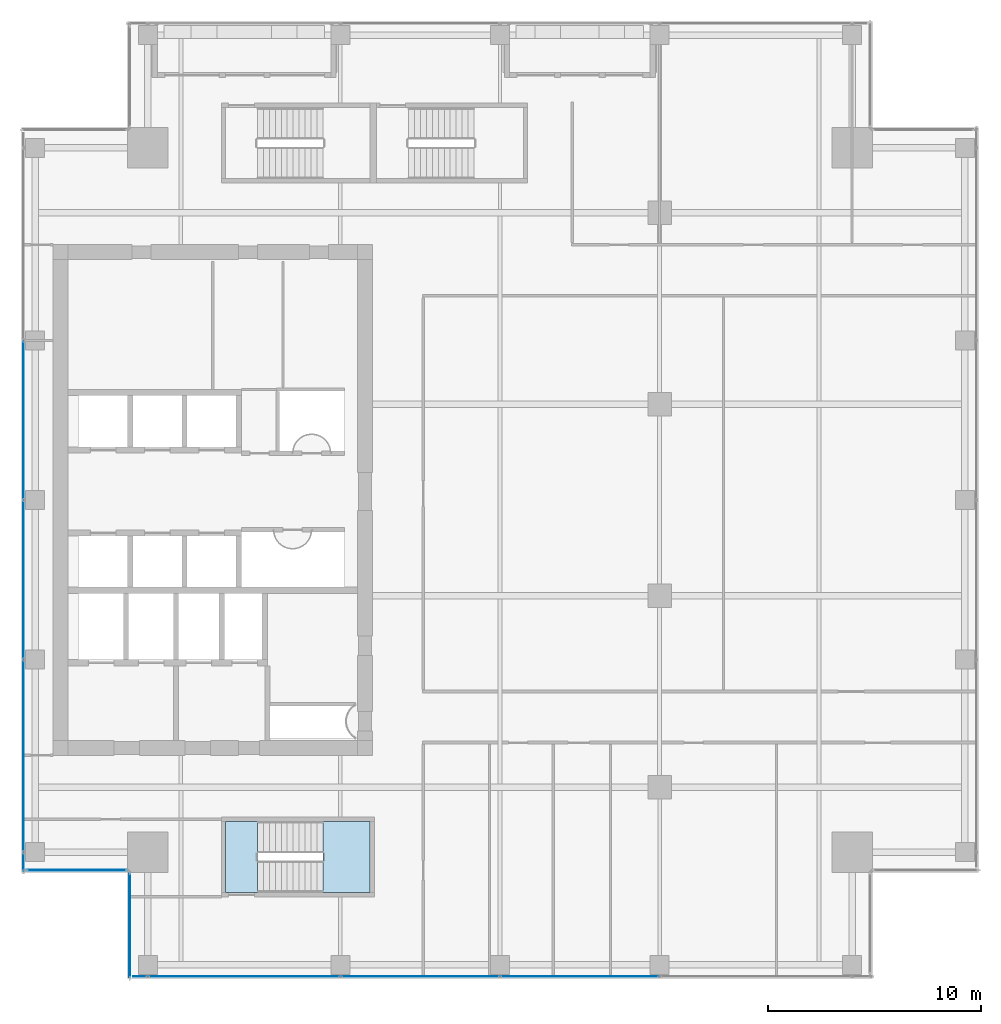
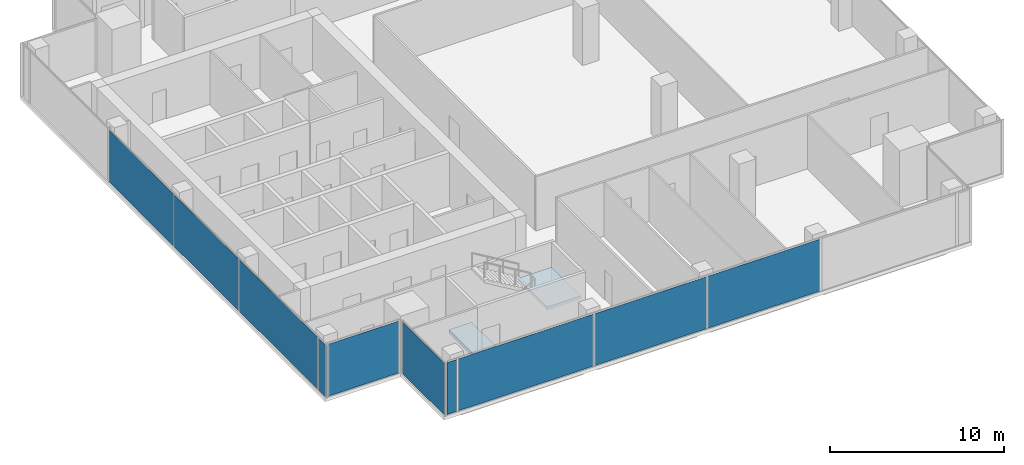
# One storey, part 25 of 35: 10 plates, 2 slabs, 5 elements without a shape of their own.
"""IFC4 building model written with IfcOpenShell, lengths in metres."""

from ifc_helpers import new_model, si_unit, direction, frame, origin, origin_2d, place, context, subcontext, project, spatial, polyline, rectangle, outline, extrude, source, transform, mapped, material, layer, layer_set, type_object, element, aggregate, save


model = new_model("IFC4")

# Units and contexts
model_context = context("Model", 3, precision=1e-05, world=origin(), true_north=direction((0.0, 1.0)))
body_context = subcontext(model_context, "Body", "Model", "MODEL_VIEW")
ifc_project = project(units=[si_unit("LENGTHUNIT", "METRE"), si_unit("AREAUNIT", "SQUARE_METRE"), si_unit("VOLUMEUNIT", "CUBIC_METRE"), si_unit("PLANEANGLEUNIT", "RADIAN"), si_unit("MASSUNIT", "GRAM", prefix="KILO")], contexts=[model_context])

# Site, building, storey
site_placement = place(None, origin())
site = spatial("IfcSite", under=ifc_project, at=site_placement, CompositionType="ELEMENT")
building_placement = place(site_placement, origin())
building = spatial("IfcBuilding", under=site, at=building_placement, Name="Khomas Fold Tower", CompositionType="ELEMENT")
storey_placement = place(building_placement, frame((0.0, 0.0, 270.199951171875)))
storey = spatial("IfcBuildingStorey", under=building, at=storey_placement, Name="L61", CompositionType="ELEMENT", Elevation=270.199951171875)

# Curtain wall, plates
ifc_material_1 = material(Name="Aluminium framed double glazing", Category="aluminium")
curtain_wall_type = type_object("IfcCurtainWallType", Name="SK-Unitised clear-glass wall, office floors CW2", PredefinedType="NOTDEFINED", material=ifc_material_1)
curtain_wall_1_placement = place(storey_placement, origin())
curtain_wall_1 = element("IfcCurtainWall", 1, at=curtain_wall_1_placement, inside=storey, type_object=curtain_wall_type, Name="CW2 run L61 00-0", PredefinedType="NOTDEFINED")
ifc_material_2 = material(Name="Clear double glazed unit")
ifc_layer_1 = layer(ifc_material_2, 0.030029296875)
ifc_layer_set_1 = layer_set([ifc_layer_1], Name="Clear double glazed unit")
plate_type = type_object("IfcPlateType", Name="SK-Unitised clear-glass wall, office floors glass panel CW2-P", PredefinedType="CURTAIN_PANEL", material=ifc_layer_set_1)
shared_shape_1 = source(origin(), body_context, "Body", "SweptSolid", [
    extrude(rectangle(XDim=0.659912109375, YDim=0.030029296875, at=origin_2d()), origin(), (0.0, 0.0, 1.0), 3.639892578125),
])
plate_1_placement = place(storey_placement, frame((10.090087890625, 4.60009765625, 0.0), z_axis=(0.0, 0.0, 1.0), x_axis=(1.0, 0.0, 0.0)))
plate_1 = element("IfcPlate", 2, at=plate_1_placement, type_object=plate_type, Name="CW2 glass panel 1", PredefinedType="CURTAIN_PANEL", context=body_context, shape_type="MappedRepresentation", body=[
    mapped(shared_shape_1, transform((0.0, 0.0, 0.0))),
])
shared_shape_2 = source(origin(), body_context, "Body", "SweptSolid", [
    extrude(rectangle(XDim=7.43994140625, YDim=0.030029296875, at=origin_2d()), origin(), (0.0, 0.0, 1.0), 3.639892578125),
])
plate_2_placement = place(storey_placement, frame((23.25, 4.60009765625, 0.0), z_axis=(0.0, 0.0, 1.0), x_axis=(1.0, 0.0, 0.0)))
plate_2 = element("IfcPlate", 3, at=plate_2_placement, type_object=plate_type, Name="CW2 glass panel 3", PredefinedType="CURTAIN_PANEL", context=body_context, shape_type="MappedRepresentation", body=[
    mapped(shared_shape_2, transform((0.0, 0.0, 0.0))),
])
plate_3_placement = place(storey_placement, frame((30.75, 4.60009765625, 0.0), z_axis=(0.0, 0.0, 1.0), x_axis=(1.0, 0.0, 0.0)))
plate_3 = element("IfcPlate", 4, at=plate_3_placement, type_object=plate_type, Name="CW2 glass panel 4", PredefinedType="CURTAIN_PANEL", context=body_context, shape_type="MappedRepresentation", body=[
    mapped(shared_shape_2, transform((0.0, 0.0, 0.0))),
])

curtain_wall_2_placement = place(storey_placement, origin())
curtain_wall_2 = element("IfcCurtainWall", 5, at=curtain_wall_2_placement, inside=storey, type_object=curtain_wall_type, Name="CW2 run L61 09-0", PredefinedType="NOTDEFINED")
plate_4_placement = place(storey_placement, frame((4.60009765625, 30.75, 0.0), z_axis=(0.0, 0.0, 1.0), x_axis=(0.0, -1.0, 0.0)))
plate_4 = element("IfcPlate", 6, at=plate_4_placement, type_object=plate_type, Name="CW2 glass panel 3", PredefinedType="CURTAIN_PANEL", context=body_context, shape_type="MappedRepresentation", body=[
    mapped(shared_shape_2, transform((0.0, 0.0, 0.0))),
])
plate_5_placement = place(storey_placement, frame((4.60009765625, 23.25, 0.0), z_axis=(0.0, 0.0, 1.0), x_axis=(0.0, -1.0, 0.0)))
plate_5 = element("IfcPlate", 7, at=plate_5_placement, type_object=plate_type, Name="CW2 glass panel 4", PredefinedType="CURTAIN_PANEL", context=body_context, shape_type="MappedRepresentation", body=[
    mapped(shared_shape_2, transform((0.0, 0.0, 0.0))),
])
shared_shape_3 = source(origin(), body_context, "Body", "SweptSolid", [
    extrude(rectangle(XDim=0.860107421875, YDim=0.030029296875, at=origin_2d()), origin(), (0.0, 0.0, 1.0), 3.639892578125),
])
plate_6_placement = place(storey_placement, frame((4.60009765625, 9.989990234375, 0.0), z_axis=(0.0, 0.0, 1.0), x_axis=(0.0, -1.0, 0.0)))
plate_6 = element("IfcPlate", 8, at=plate_6_placement, type_object=plate_type, Name="CW2 glass panel 6", PredefinedType="CURTAIN_PANEL", context=body_context, shape_type="MappedRepresentation", body=[
    mapped(shared_shape_3, transform((0.0, 0.0, 0.0))),
])

# Plate
shared_shape_4 = source(origin(), body_context, "Body", "SweptSolid", [
    extrude(rectangle(XDim=8.989990234375, YDim=0.030029296875, at=origin_2d()), origin(), (0.0, 0.0, 1.0), 3.639892578125),
])
plate_7_placement = place(storey_placement, frame((14.97509765625, 4.60009765625, 0.0), z_axis=(0.0, 0.0, 1.0), x_axis=(1.0, 0.0, 0.0)))
plate_7 = element("IfcPlate", 9, at=plate_7_placement, type_object=plate_type, Name="CW2 glass panel 2", PredefinedType="CURTAIN_PANEL", context=body_context, shape_type="MappedRepresentation", body=[
    mapped(shared_shape_4, transform((0.0, 0.0, 0.0))),
])

aggregate(curtain_wall_1, [plate_1, plate_7, plate_2, plate_3])

plate_8_placement = place(storey_placement, frame((4.60009765625, 14.97509765625, 0.0), z_axis=(0.0, 0.0, 1.0), x_axis=(0.0, -1.0, 0.0)))
plate_8 = element("IfcPlate", 10, at=plate_8_placement, type_object=plate_type, Name="CW2 glass panel 5", PredefinedType="CURTAIN_PANEL", context=body_context, shape_type="MappedRepresentation", body=[
    mapped(shared_shape_4, transform((0.0, 0.0, 0.0))),
])

aggregate(curtain_wall_2, [plate_4, plate_5, plate_8, plate_6])

# Curtain wall, plate
curtain_wall_3_placement = place(storey_placement, origin())
curtain_wall_3 = element("IfcCurtainWall", 11, at=curtain_wall_3_placement, inside=storey, type_object=curtain_wall_type, Name="CW2 corner return L61 10", PredefinedType="NOTDEFINED")
shared_shape_5 = source(origin(), body_context, "Body", "SweptSolid", [
    extrude(rectangle(XDim=4.679931640625, YDim=0.030029296875, at=origin_2d()), origin(), (0.0, 0.0, 1.0), 3.639892578125),
])
plate_9_placement = place(storey_placement, frame((7.10009765625, 9.60009765625, 0.0), z_axis=(0.0, 0.0, 1.0), x_axis=(1.0, 0.0, 0.0)))
plate_9 = element("IfcPlate", 12, at=plate_9_placement, type_object=plate_type, Name="CW2 glass panel 1", PredefinedType="CURTAIN_PANEL", context=body_context, shape_type="MappedRepresentation", body=[
    mapped(shared_shape_5, transform((0.0, 0.0, 0.0))),
])
aggregate(curtain_wall_3, [plate_9])

curtain_wall_4_placement = place(storey_placement, origin())
curtain_wall_4 = element("IfcCurtainWall", 13, at=curtain_wall_4_placement, inside=storey, type_object=curtain_wall_type, Name="CW2 corner return L61 11", PredefinedType="NOTDEFINED")
shared_shape_6 = source(origin(), body_context, "Body", "SweptSolid", [
    extrude(rectangle(XDim=4.8798828125, YDim=0.030029296875, at=origin_2d()), origin(), (0.0, 0.0, 1.0), 3.639892578125),
])
plate_10_placement = place(storey_placement, frame((9.60009765625, 7.0, 0.0), z_axis=(0.0, 0.0, 1.0), x_axis=(0.0, -1.0, 0.0)))
plate_10 = element("IfcPlate", 14, at=plate_10_placement, type_object=plate_type, Name="CW2 glass panel 1", PredefinedType="CURTAIN_PANEL", context=body_context, shape_type="MappedRepresentation", body=[
    mapped(shared_shape_6, transform((0.0, 0.0, 0.0))),
])
aggregate(curtain_wall_4, [plate_10])

# Stair, slab
ifc_material_3 = material(Name="Concrete C40/50", Category="concrete")
stair_type = type_object("IfcStairType", Name="Stair ST2", PredefinedType="HALF_TURN_STAIR", material=ifc_material_3)
stair_placement = place(storey_placement, origin())
stair = element("IfcStair", 15, at=stair_placement, inside=storey, type_object=stair_type, Name="L61 ST2", PredefinedType="HALF_TURN_STAIR")
ifc_material_4 = material(Name="Concrete C40/50", Category="concrete")
ifc_layer_2 = layer(ifc_material_4, 0.199951171875)
ifc_layer_set_2 = layer_set([ifc_layer_2], Name="Concrete C40/50")
slab_type_1 = type_object("IfcSlabType", Name="Stair landing 200", PredefinedType="LANDING", material=ifc_layer_set_2)
shared_shape_7 = source(origin(), body_context, "Body", "SweptSolid", [
    extrude(outline(polyline([(18.679931640625, 8.550048828125), (20.89990234375, 8.550048828125), (20.89990234375, 11.89990234375), (18.679931640625, 11.89990234375), (18.679931640625, 8.550048828125)])), origin(), (0.0, 0.0, 1.0), 0.199951171875),
])
slab_1_placement = place(storey_placement, frame((0.0, 0.0, 1.800048828125)))
slab_1 = element("IfcSlab", 16, at=slab_1_placement, type_object=slab_type_1, Name="ST2 landing 1", PredefinedType="LANDING", context=body_context, shape_type="MappedRepresentation", body=[
    mapped(shared_shape_7, transform((0.0, 0.0, 0.0))),
])
aggregate(stair, [slab_1])

# Slab
ifc_material_5 = material(Name="Concrete C40/50", Category="concrete")
ifc_layer_3 = layer(ifc_material_5, 0.25)
ifc_layer_set_3 = layer_set([ifc_layer_3], Name="Concrete C40/50")
slab_type_2 = type_object("IfcSlabType", Name="Stair floor landing 250", PredefinedType="LANDING", material=ifc_layer_set_3)
shared_shape_8 = source(origin(), body_context, "Body", "SweptSolid", [
    extrude(outline(polyline([(15.60009765625, 8.550048828125), (14.10009765625, 8.550048828125), (14.10009765625, 11.89990234375), (15.60009765625, 11.89990234375), (15.60009765625, 8.550048828125)])), origin(), (0.0, 0.0, 1.0), 0.25),
])
slab_2_placement = place(storey_placement, frame((0.0, 0.0, -0.25)))
element("IfcSlab", 17, at=slab_2_placement, inside=storey, type_object=slab_type_2, Name="ST2 floor landing", PredefinedType="LANDING", context=body_context, shape_type="MappedRepresentation", body=[
    mapped(shared_shape_8, transform((0.0, 0.0, 0.0))),
])

save(model, "model.ifc")
